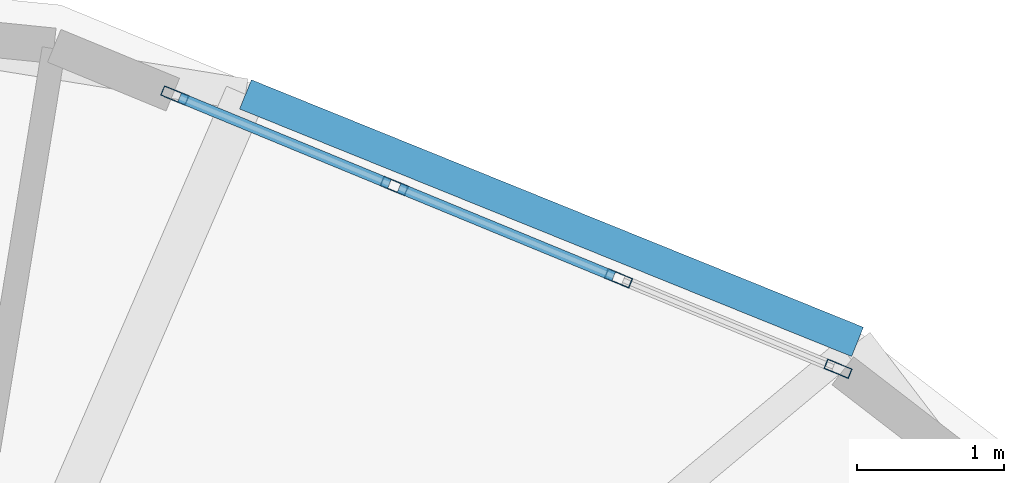
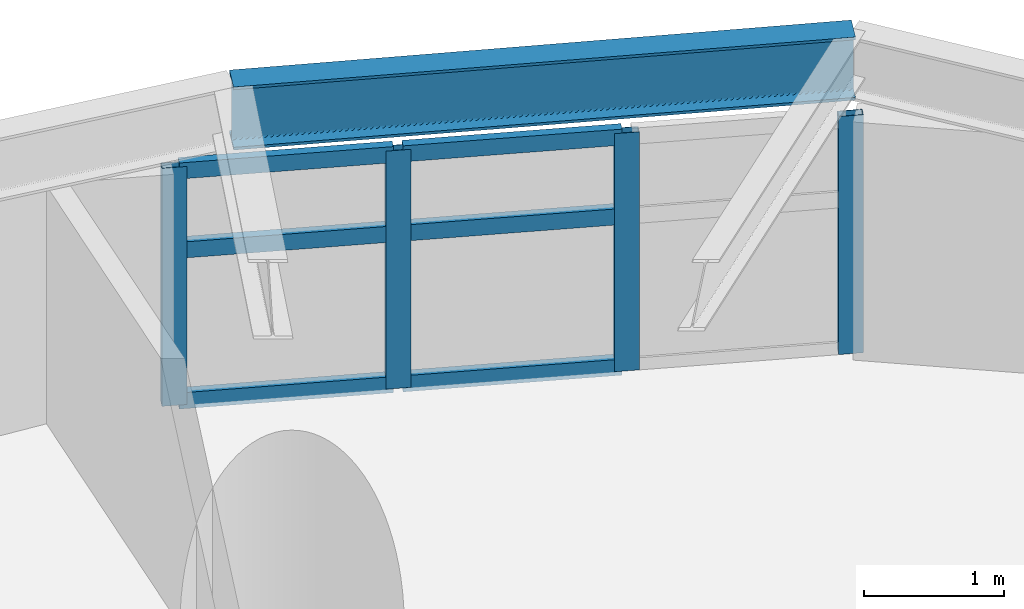
# One storey, part 7 of 18: 10 members, 1 beam, 1 element without a shape of its own.
"""IFC4 building model written with IfcOpenShell, lengths in metres."""

import ifcopenshell
import ifcopenshell.guid

model = None  # the IFC model being written
_history = None  # IfcOwnerHistory: only IFC2X3 demands one
_inside = {}  # id of a spatial element -> (the spatial element, [elements in it])
_under = {}  # id of a project, library or spatial element -> (it, [spatial elements below it])
_declared = {}  # id of a project -> (the project, [libraries it declares])
_typed = {}  # id of a type object -> (the type object, [elements of that type])
_made_of = {}  # id of a material, layer set ... -> (it, [elements and type objects made of it])


def new_model(schema):
    """Start an empty IFC model of exactly this schema.

    Asked for "IFC4X3", IfcOpenShell would pick the latest addendum, in which some entities
    have other attributes; the version numbers below select the first issue.
    IFC2X3 requires an IfcOwnerHistory on every rooted entity: one is made here for all.
    """
    global model, _history
    if schema == "IFC4X3":
        model = ifcopenshell.file(schema_version=(4, 3, 0, 0))
    else:
        model = ifcopenshell.file(schema=schema)
    _inside.clear()
    _under.clear()
    _declared.clear()
    _typed.clear()
    _made_of.clear()
    _history = None
    if model.schema == "IFC2X3":
        org = make("IfcOrganization", Name="unknown")
        user = make(
            "IfcPersonAndOrganization",
            ThePerson=make("IfcPerson", FamilyName="unknown"),
            TheOrganization=org,
        )
        app = make(
            "IfcApplication",
            ApplicationDeveloper=org,
            Version="unknown",
            ApplicationFullName="unknown",
            ApplicationIdentifier="unknown",
        )
        _history = make(
            "IfcOwnerHistory",
            OwningUser=user,
            OwningApplication=app,
            ChangeAction="ADDED",
            CreationDate=0,
        )
    return model


def make(cls, **values):
    """One entity of the class cls with the attributes given. An attribute that is None is left unset."""
    return model.create_entity(
        cls, **{name: value for name, value in values.items() if value is not None}
    )


def rooted(cls, **values):
    """An entity with a GlobalId (a new one), such as an element, a storey or a relation."""
    return make(cls, GlobalId=ifcopenshell.guid.new(), OwnerHistory=_history, **values)


def si_unit(unit_type, name, prefix=None):
    """IfcSIUnit, for example si_unit("LENGTHUNIT", "METRE", prefix="MILLI")."""
    return make("IfcSIUnit", UnitType=unit_type, Prefix=prefix, Name=name)


def assignment(units):
    """IfcUnitAssignment: the units of a project."""
    return None if units is None else make("IfcUnitAssignment", Units=units)


def point(xyz):
    """IfcCartesianPoint."""
    return None if xyz is None else make("IfcCartesianPoint", Coordinates=xyz)


def direction(xyz):
    """IfcDirection."""
    return None if xyz is None else make("IfcDirection", DirectionRatios=xyz)


def frame(location, z_axis=None, x_axis=None):
    """IfcAxis2Placement3D, a coordinate frame: its origin and axes. An axis left out is left unset."""
    return make(
        "IfcAxis2Placement3D",
        Location=point(location),
        Axis=direction(z_axis),
        RefDirection=direction(x_axis),
    )


def frame_2d(location, x_axis=None):
    """IfcAxis2Placement2D, a coordinate frame in the plane: its origin and x axis."""
    return make(
        "IfcAxis2Placement2D", Location=point(location), RefDirection=direction(x_axis)
    )


def origin():
    """The frame at (0, 0, 0) with its axes left unset."""
    return frame((0.0, 0.0, 0.0))


def origin_2d():
    """The frame at (0, 0) in the plane with its x axis left unset."""
    return frame_2d((0.0, 0.0))


def place(relative_to, where):
    """IfcLocalPlacement: puts the frame where relative to a parent placement (None: the world)."""
    return make(
        "IfcLocalPlacement", PlacementRelTo=relative_to, RelativePlacement=where
    )


def context(
    kind, dimensions, precision=None, world=None, true_north=None, identifier=None
):
    """IfcGeometricRepresentationContext, for example the 3D "Model" context."""
    return make(
        "IfcGeometricRepresentationContext",
        ContextIdentifier=identifier,
        ContextType=kind,
        CoordinateSpaceDimension=dimensions,
        Precision=precision,
        WorldCoordinateSystem=world,
        TrueNorth=true_north,
    )


def subcontext(parent, identifier, kind, view, scale=None):
    """IfcGeometricRepresentationSubContext, for example "Body" below "Model"."""
    return make(
        "IfcGeometricRepresentationSubContext",
        ContextIdentifier=identifier,
        ContextType=kind,
        ParentContext=parent,
        TargetScale=scale,
        TargetView=view,
    )


def project(units=None, contexts=None):
    """IfcProject with its units and contexts."""
    return rooted(
        "IfcProject",
        Name="project",
        RepresentationContexts=contexts,
        UnitsInContext=assignment(units),
    )


def spatial(cls, under=None, at=None, **own):
    """A site, building, storey or space (cls), placed at a placement, below another one or the project."""
    s = rooted(cls, ObjectPlacement=at, **own)
    if under is not None:
        _under.setdefault(under.id(), (under, []))[1].append(s)
    return s


def profile(cls, at=None, kind="AREA", **sizes):
    """A parametric profile (cls). Its sizes go by their IFC names, for example OverallWidth=200.0."""
    return make(cls, ProfileType=kind, Position=at, **sizes)


def hollow_rectangle(**sizes):
    """IfcRectangleHollowProfileDef."""
    return profile("IfcRectangleHollowProfileDef", **sizes)


def i_section(**sizes):
    """IfcIShapeProfileDef."""
    return profile("IfcIShapeProfileDef", **sizes)


def extrude(swept, where, along, depth):
    """IfcExtrudedAreaSolid: the profile swept, set in the frame where, extruded along a direction by depth."""
    return make(
        "IfcExtrudedAreaSolid",
        SweptArea=swept,
        Position=where,
        ExtrudedDirection=direction(along),
        Depth=depth,
    )


def shape(context_of_items, identifier, shape_type, items):
    """IfcShapeRepresentation: the items that make up one representation, for example the "Body"."""
    return make(
        "IfcShapeRepresentation",
        ContextOfItems=context_of_items,
        RepresentationIdentifier=identifier,
        RepresentationType=shape_type,
        Items=items,
    )


def material(Name=None, Category=None):
    """IfcMaterial."""
    return make("IfcMaterial", Name=Name, Category=Category)


def layer(
    of_material, thickness, ventilated=None, Name=None, Category=None, Priority=None
):
    """IfcMaterialLayer: one layer of a wall or slab, of a material (None: an air gap)."""
    return make(
        "IfcMaterialLayer",
        Material=of_material,
        LayerThickness=thickness,
        IsVentilated=ventilated,
        Name=Name,
        Category=Category,
        Priority=Priority,
    )


def layer_set(layers, Name=None):
    """IfcMaterialLayerSet."""
    return make("IfcMaterialLayerSet", MaterialLayers=layers, LayerSetName=Name)


def material_profile(
    of_material, cross_section, Name=None, Category=None, Priority=None
):
    """IfcMaterialProfile: a cross section and its material."""
    return make(
        "IfcMaterialProfile",
        Name=Name,
        Material=of_material,
        Profile=cross_section,
        Priority=Priority,
        Category=Category,
    )


def profile_set(profiles, Name=None, composite=None):
    """IfcMaterialProfileSet."""
    return make(
        "IfcMaterialProfileSet",
        Name=Name,
        MaterialProfiles=profiles,
        CompositeProfile=composite,
    )


def made_of(thing, what):
    """Note that an element or type object is made of a material, layer set ...; save() writes the relation."""
    if what is not None:
        _made_of.setdefault(what.id(), (what, []))[1].append(thing)
    return thing


def type_object(cls, material=None, **own):
    """A type object (cls), such as IfcWallType, which elements share."""
    return made_of(rooted(cls, **own), material)


def element(
    cls,
    number,
    at=None,
    inside=None,
    cuts=None,
    type_object=None,
    material=None,
    context=None,
    identifier="Body",
    shape_type=None,
    held_by="IfcProductDefinitionShape",
    body=None,
    shapes=None,
    **own,
):
    """One element of the class cls, such as IfcWall. Its Tag is "e" and its number.

    at: its placement. inside: the storey or other place that contains it. cuts: it is an
    opening in that element (IfcRelVoidsElement). A single representation is given by context,
    identifier, shape_type and body (its items); several are given by shapes. held_by: the class
    of the entity that holds the representations. save() writes the other relations.
    """
    e = rooted(cls, Tag="e%d" % number, ObjectPlacement=at, **own)
    if body is not None:
        shapes = [shape(context, identifier, shape_type, body)]
    if shapes is not None:
        e.Representation = make(held_by, Representations=shapes)
    if inside is not None:
        _inside.setdefault(inside.id(), (inside, []))[1].append(e)
    if cuts is not None:
        rooted(
            "IfcRelVoidsElement", RelatingBuildingElement=cuts, RelatedOpeningElement=e
        )
    if type_object is not None:
        _typed.setdefault(type_object.id(), (type_object, []))[1].append(e)
    return made_of(e, material)


def aggregate(whole, parts):
    """IfcRelAggregates: a whole, such as a stair, and the parts it consists of."""
    return rooted("IfcRelAggregates", RelatingObject=whole, RelatedObjects=parts)


def save(model, path):
    """Write the relations noted so far, then the file.

    IfcRelAggregates (storeys below a building ...), IfcRelContainedInSpatialStructure (elements
    in a storey), IfcRelDefinesByType, IfcRelAssociatesMaterial and IfcRelDeclares: one each for
    every whole, place, type object, material and project.
    """
    for whole, parts in _under.values():
        aggregate(whole, parts)
    for where, things in _inside.values():
        rooted(
            "IfcRelContainedInSpatialStructure",
            RelatedElements=things,
            RelatingStructure=where,
        )
    for kind, things in _typed.values():
        rooted("IfcRelDefinesByType", RelatedObjects=things, RelatingType=kind)
    for what, things in _made_of.values():
        rooted("IfcRelAssociatesMaterial", RelatedObjects=things, RelatingMaterial=what)
    for by, libraries in _declared.values():
        rooted("IfcRelDeclares", RelatingContext=by, RelatedDefinitions=libraries)
    model.write(path)


model = new_model("IFC4")

# Units and contexts
model_context = context("Model", 3, precision=1e-05, world=origin(), true_north=direction((0.0, 1.0)))
body_context = subcontext(model_context, "Body", "Model", "MODEL_VIEW")
ifc_project = project(units=[si_unit("LENGTHUNIT", "METRE"), si_unit("AREAUNIT", "SQUARE_METRE"), si_unit("VOLUMEUNIT", "CUBIC_METRE"), si_unit("PLANEANGLEUNIT", "RADIAN"), si_unit("MASSUNIT", "GRAM", prefix="KILO")], contexts=[model_context])

# Site, building, storey
site_placement = place(None, origin())
site = spatial("IfcSite", under=ifc_project, at=site_placement, CompositionType="ELEMENT")
building_placement = place(site_placement, origin())
building = spatial("IfcBuilding", under=site, at=building_placement, Name="Cununo Teusaquillo Station Towers", CompositionType="ELEMENT")
storey_placement = place(building_placement, frame((0.0, 0.0, 56.919921875)))
storey = spatial("IfcBuildingStorey", under=building, at=storey_placement, Name="L17", CompositionType="ELEMENT", Elevation=56.919921875)

# Beam
ifc_material_1 = material(Name="Steel ASTM A572 Grade 50", Category="steel")
ifc_material_profile_1 = material_profile(ifc_material_1, i_section(OverallWidth=0.214111328125, OverallDepth=0.549072265625, WebThickness=0.0146484375, FlangeThickness=0.023681640625, FilletRadius=0.014892578125, at=origin_2d()), Name="W21X93")
ifc_profile_set_1 = profile_set([ifc_material_profile_1], Name="Steel ASTM A572 Grade 50")
beam_type = type_object("IfcBeamType", Name="BM-RING-Z1", PredefinedType="SPANDREL", material=ifc_profile_set_1)
beam_placement = place(storey_placement, frame((63.9443359375, 39.418212890625, 2.37548828125), z_axis=(-0.927072194447, 0.374882843411, 0.0), x_axis=(-0.374882843411, -0.927072194447, 0.0)))
element("IfcBeam", 1, at=beam_placement, inside=storey, type_object=beam_type, Name="L17 Tower B Spandrel Ring Beam 02", PredefinedType="SPANDREL", context=body_context, shape_type="SweptSolid", body=[
    extrude(i_section(OverallWidth=0.214111328125, OverallDepth=0.549072265625, WebThickness=0.0146484375, FlangeThickness=0.023681640625, FilletRadius=0.014892578125, at=origin_2d()), origin(), (0.0, 0.0, 1.0), 4.48046875),
])

# Curtain wall, members
ifc_material_2 = material(Name="Operable acoustic tinted low-E double glazing", Category="glass")
ifc_layer = layer(ifc_material_2, 0.179931640625)
ifc_layer_set = layer_set([ifc_layer], Name="Operable acoustic tinted low-E double glazing")
curtain_wall_type = type_object("IfcCurtainWallType", Name="CW-SYS-03", PredefinedType="USERDEFINED", material=ifc_layer_set)
curtain_wall_placement = place(storey_placement, origin())
curtain_wall = element("IfcCurtainWall", 2, at=curtain_wall_placement, inside=storey, type_object=curtain_wall_type, Name="L17 Tower B Facade Curtain Wall C01", ObjectType="OPERABLE GLAZING", PredefinedType="USERDEFINED")
ifc_material_3 = material(Name="Anodised dark bronze aluminium EN AW-6063-T6", Category="aluminium")
ifc_material_profile_2 = material_profile(ifc_material_3, hollow_rectangle(XDim=0.070068359375, YDim=0.179931640625, WallThickness=0.00390625, at=origin_2d()), Name="CW-MULL-70x180")
ifc_profile_set_2 = profile_set([ifc_material_profile_2], Name="Anodised dark bronze aluminium EN AW-6063-T6")
member_type_1 = type_object("IfcMemberType", Name="CWM-180", PredefinedType="MULLION", material=ifc_profile_set_2)
member_1_placement = place(storey_placement, frame((59.310791015625, 41.090576171875, 0.0), z_axis=(0.0, 0.0, 1.0), x_axis=(0.381006438517, 0.924572384299, 0.0)))
member_1 = element("IfcMember", 3, at=member_1_placement, type_object=member_type_1, Name="CW-03 mullion 1", PredefinedType="MULLION", context=body_context, shape_type="SweptSolid", body=[
    extrude(hollow_rectangle(XDim=0.070068359375, YDim=0.179931640625, WallThickness=0.00390625, at=origin_2d()), origin(), (0.0, 0.0, 1.0), 2.072998046875),
])
member_2_placement = place(storey_placement, frame((60.800537109375, 40.4765625, 0.0), z_axis=(0.0, 0.0, 1.0), x_axis=(0.381006438517, 0.924572384299, 0.0)))
member_2 = element("IfcMember", 4, at=member_2_placement, type_object=member_type_1, Name="CW-03 mullion 2", PredefinedType="MULLION", context=body_context, shape_type="SweptSolid", body=[
    extrude(hollow_rectangle(XDim=0.070068359375, YDim=0.179931640625, WallThickness=0.00390625, at=origin_2d()), origin(), (0.0, 0.0, 1.0), 2.072998046875),
])
member_3_placement = place(storey_placement, frame((62.322509765625, 39.849365234375, 0.0), z_axis=(0.0, 0.0, 1.0), x_axis=(0.381006438517, 0.924572384299, 0.0)))
member_3 = element("IfcMember", 5, at=member_3_placement, type_object=member_type_1, Name="CW-03 mullion 3", PredefinedType="MULLION", context=body_context, shape_type="SweptSolid", body=[
    extrude(hollow_rectangle(XDim=0.070068359375, YDim=0.179931640625, WallThickness=0.00390625, at=origin_2d()), origin(), (0.0, 0.0, 1.0), 2.072998046875),
])
member_4_placement = place(storey_placement, frame((63.812255859375, 39.235595703125, 0.0), z_axis=(0.0, 0.0, 1.0), x_axis=(0.381006438517, 0.924572384299, 0.0)))
member_4 = element("IfcMember", 6, at=member_4_placement, type_object=member_type_1, Name="CW-03 mullion 4", PredefinedType="MULLION", context=body_context, shape_type="SweptSolid", body=[
    extrude(hollow_rectangle(XDim=0.070068359375, YDim=0.179931640625, WallThickness=0.00390625, at=origin_2d()), origin(), (0.0, 0.0, 1.0), 2.072998046875),
])
ifc_material_4 = material(Name="Anodised dark bronze aluminium EN AW-6063-T6", Category="aluminium")
ifc_material_profile_3 = material_profile(ifc_material_4, hollow_rectangle(XDim=0.070068359375, YDim=0.139892578125, WallThickness=0.00390625, at=origin_2d()), Name="CW-TRAN-70x140")
ifc_profile_set_3 = profile_set([ifc_material_profile_3], Name="Anodised dark bronze aluminium EN AW-6063-T6")
member_type_2 = type_object("IfcMemberType", Name="CWT-140", PredefinedType="USERDEFINED", material=ifc_profile_set_3)
member_5_placement = place(storey_placement, frame((59.34326171875, 41.0771484375, 0.03515625), z_axis=(0.924569788206, -0.381012738286, 0.0), x_axis=(0.381012738286, 0.924569788206, 0.0)))
member_5 = element("IfcMember", 7, at=member_5_placement, type_object=member_type_2, Name="CW-03 transom 1.1", ObjectType="TRANSOM", PredefinedType="USERDEFINED", context=body_context, shape_type="SweptSolid", body=[
    extrude(hollow_rectangle(XDim=0.070068359375, YDim=0.139892578125, WallThickness=0.00390625, at=origin_2d()), origin(), (0.0, 0.0, 1.0), 1.541015625),
])
member_6_placement = place(storey_placement, frame((59.34326171875, 41.0771484375, 1.34716796875), z_axis=(0.924569788206, -0.381012738286, 0.0), x_axis=(0.381012738286, 0.924569788206, 0.0)))
member_6 = element("IfcMember", 8, at=member_6_placement, type_object=member_type_2, Name="CW-03 transom 1.2", ObjectType="TRANSOM", PredefinedType="USERDEFINED", context=body_context, shape_type="SweptSolid", body=[
    extrude(hollow_rectangle(XDim=0.070068359375, YDim=0.139892578125, WallThickness=0.00390625, at=origin_2d()), origin(), (0.0, 0.0, 1.0), 1.541015625),
])
member_7_placement = place(storey_placement, frame((59.34326171875, 41.0771484375, 2.0380859375), z_axis=(0.924569788206, -0.381012738286, 0.0), x_axis=(0.381012738286, 0.924569788206, 0.0)))
member_7 = element("IfcMember", 9, at=member_7_placement, type_object=member_type_2, Name="CW-03 transom 1.3", ObjectType="TRANSOM", PredefinedType="USERDEFINED", context=body_context, shape_type="SweptSolid", body=[
    extrude(hollow_rectangle(XDim=0.070068359375, YDim=0.139892578125, WallThickness=0.00390625, at=origin_2d()), origin(), (0.0, 0.0, 1.0), 1.541015625),
])
member_8_placement = place(storey_placement, frame((60.832763671875, 40.46337890625, 0.03515625), z_axis=(0.924559362958, -0.381038035329, 0.0), x_axis=(0.381038035329, 0.924559362958, 0.0)))
member_8 = element("IfcMember", 10, at=member_8_placement, type_object=member_type_2, Name="CW-03 transom 2.1", ObjectType="TRANSOM", PredefinedType="USERDEFINED", context=body_context, shape_type="SweptSolid", body=[
    extrude(hollow_rectangle(XDim=0.070068359375, YDim=0.139892578125, WallThickness=0.00390625, at=origin_2d()), origin(), (0.0, 0.0, 1.0), 1.576171875),
])
member_9_placement = place(storey_placement, frame((60.832763671875, 40.46337890625, 1.34716796875), z_axis=(0.924559362958, -0.381038035329, 0.0), x_axis=(0.381038035329, 0.924559362958, 0.0)))
member_9 = element("IfcMember", 11, at=member_9_placement, type_object=member_type_2, Name="CW-03 transom 2.2", ObjectType="TRANSOM", PredefinedType="USERDEFINED", context=body_context, shape_type="SweptSolid", body=[
    extrude(hollow_rectangle(XDim=0.070068359375, YDim=0.139892578125, WallThickness=0.00390625, at=origin_2d()), origin(), (0.0, 0.0, 1.0), 1.576171875),
])
member_10_placement = place(storey_placement, frame((60.832763671875, 40.46337890625, 2.0380859375), z_axis=(0.924559362958, -0.381038035329, 0.0), x_axis=(0.381038035329, 0.924559362958, 0.0)))
member_10 = element("IfcMember", 12, at=member_10_placement, type_object=member_type_2, Name="CW-03 transom 2.3", ObjectType="TRANSOM", PredefinedType="USERDEFINED", context=body_context, shape_type="SweptSolid", body=[
    extrude(hollow_rectangle(XDim=0.070068359375, YDim=0.139892578125, WallThickness=0.00390625, at=origin_2d()), origin(), (0.0, 0.0, 1.0), 1.576171875),
])
aggregate(curtain_wall, [member_1, member_2, member_3, member_4, member_5, member_6, member_7, member_8, member_9, member_10])

save(model, "model.ifc")
